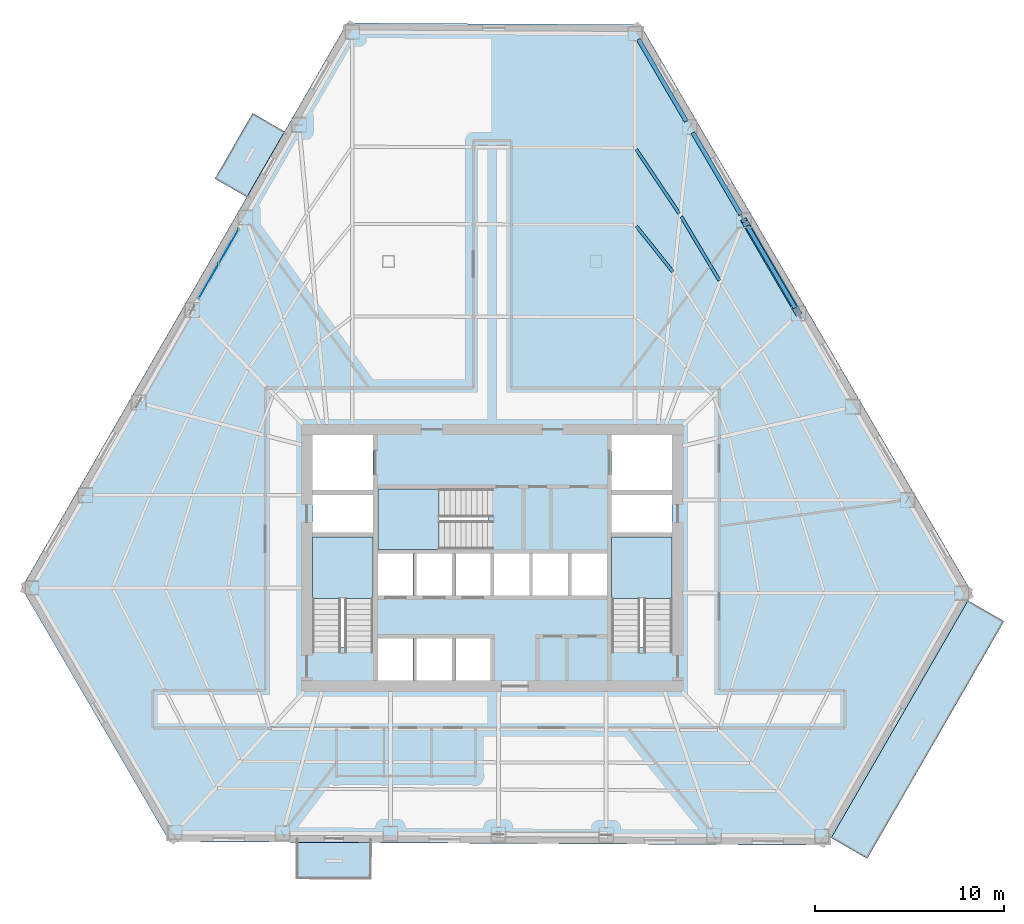
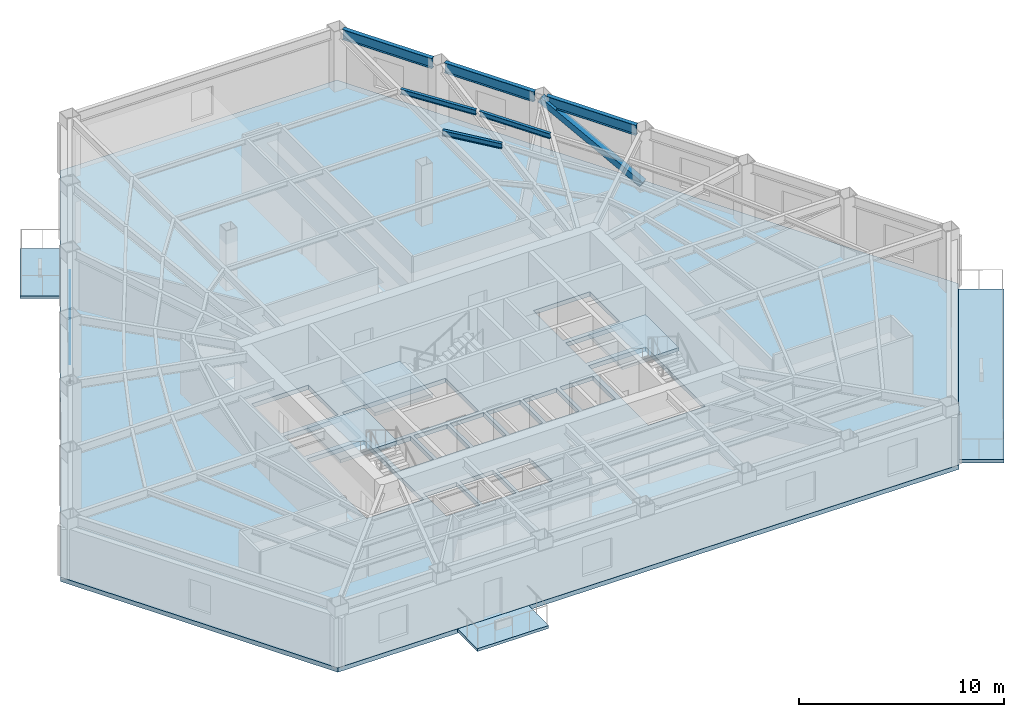
# One storey, part 5 of 16: 7 slabs, 6 beams, 2 plates, 1 member, 4 elements without a shape of their own.
"""IFC4 building model written with IfcOpenShell, lengths in metres."""

import ifcopenshell
import ifcopenshell.guid

model = None  # the IFC model being written
_history = None  # IfcOwnerHistory: only IFC2X3 demands one
_inside = {}  # id of a spatial element -> (the spatial element, [elements in it])
_under = {}  # id of a project, library or spatial element -> (it, [spatial elements below it])
_declared = {}  # id of a project -> (the project, [libraries it declares])
_typed = {}  # id of a type object -> (the type object, [elements of that type])
_made_of = {}  # id of a material, layer set ... -> (it, [elements and type objects made of it])


def new_model(schema):
    """Start an empty IFC model of exactly this schema.

    Asked for "IFC4X3", IfcOpenShell would pick the latest addendum, in which some entities
    have other attributes; the version numbers below select the first issue.
    IFC2X3 requires an IfcOwnerHistory on every rooted entity: one is made here for all.
    """
    global model, _history
    if schema == "IFC4X3":
        model = ifcopenshell.file(schema_version=(4, 3, 0, 0))
    else:
        model = ifcopenshell.file(schema=schema)
    _inside.clear()
    _under.clear()
    _declared.clear()
    _typed.clear()
    _made_of.clear()
    _history = None
    if model.schema == "IFC2X3":
        org = make("IfcOrganization", Name="unknown")
        user = make(
            "IfcPersonAndOrganization",
            ThePerson=make("IfcPerson", FamilyName="unknown"),
            TheOrganization=org,
        )
        app = make(
            "IfcApplication",
            ApplicationDeveloper=org,
            Version="unknown",
            ApplicationFullName="unknown",
            ApplicationIdentifier="unknown",
        )
        _history = make(
            "IfcOwnerHistory",
            OwningUser=user,
            OwningApplication=app,
            ChangeAction="ADDED",
            CreationDate=0,
        )
    return model


def make(cls, **values):
    """One entity of the class cls with the attributes given. An attribute that is None is left unset."""
    return model.create_entity(
        cls, **{name: value for name, value in values.items() if value is not None}
    )


def rooted(cls, **values):
    """An entity with a GlobalId (a new one), such as an element, a storey or a relation."""
    return make(cls, GlobalId=ifcopenshell.guid.new(), OwnerHistory=_history, **values)


def si_unit(unit_type, name, prefix=None):
    """IfcSIUnit, for example si_unit("LENGTHUNIT", "METRE", prefix="MILLI")."""
    return make("IfcSIUnit", UnitType=unit_type, Prefix=prefix, Name=name)


def assignment(units):
    """IfcUnitAssignment: the units of a project."""
    return None if units is None else make("IfcUnitAssignment", Units=units)


def point(xyz):
    """IfcCartesianPoint."""
    return None if xyz is None else make("IfcCartesianPoint", Coordinates=xyz)


def direction(xyz):
    """IfcDirection."""
    return None if xyz is None else make("IfcDirection", DirectionRatios=xyz)


def frame(location, z_axis=None, x_axis=None):
    """IfcAxis2Placement3D, a coordinate frame: its origin and axes. An axis left out is left unset."""
    return make(
        "IfcAxis2Placement3D",
        Location=point(location),
        Axis=direction(z_axis),
        RefDirection=direction(x_axis),
    )


def frame_2d(location, x_axis=None):
    """IfcAxis2Placement2D, a coordinate frame in the plane: its origin and x axis."""
    return make(
        "IfcAxis2Placement2D", Location=point(location), RefDirection=direction(x_axis)
    )


def origin():
    """The frame at (0, 0, 0) with its axes left unset."""
    return frame((0.0, 0.0, 0.0))


def origin_2d():
    """The frame at (0, 0) in the plane with its x axis left unset."""
    return frame_2d((0.0, 0.0))


def place(relative_to, where):
    """IfcLocalPlacement: puts the frame where relative to a parent placement (None: the world)."""
    return make(
        "IfcLocalPlacement", PlacementRelTo=relative_to, RelativePlacement=where
    )


def context(
    kind, dimensions, precision=None, world=None, true_north=None, identifier=None
):
    """IfcGeometricRepresentationContext, for example the 3D "Model" context."""
    return make(
        "IfcGeometricRepresentationContext",
        ContextIdentifier=identifier,
        ContextType=kind,
        CoordinateSpaceDimension=dimensions,
        Precision=precision,
        WorldCoordinateSystem=world,
        TrueNorth=true_north,
    )


def subcontext(parent, identifier, kind, view, scale=None):
    """IfcGeometricRepresentationSubContext, for example "Body" below "Model"."""
    return make(
        "IfcGeometricRepresentationSubContext",
        ContextIdentifier=identifier,
        ContextType=kind,
        ParentContext=parent,
        TargetScale=scale,
        TargetView=view,
    )


def project(units=None, contexts=None):
    """IfcProject with its units and contexts."""
    return rooted(
        "IfcProject",
        Name="project",
        RepresentationContexts=contexts,
        UnitsInContext=assignment(units),
    )


def spatial(cls, under=None, at=None, **own):
    """A site, building, storey or space (cls), placed at a placement, below another one or the project."""
    s = rooted(cls, ObjectPlacement=at, **own)
    if under is not None:
        _under.setdefault(under.id(), (under, []))[1].append(s)
    return s


def polyline(points):
    """IfcPolyline through the points."""
    return make("IfcPolyline", Points=[point(p) for p in points])


def profile(cls, at=None, kind="AREA", **sizes):
    """A parametric profile (cls). Its sizes go by their IFC names, for example OverallWidth=200.0."""
    return make(cls, ProfileType=kind, Position=at, **sizes)


def rectangle(**sizes):
    """IfcRectangleProfileDef."""
    return profile("IfcRectangleProfileDef", **sizes)


def hollow_rectangle(**sizes):
    """IfcRectangleHollowProfileDef."""
    return profile("IfcRectangleHollowProfileDef", **sizes)


def i_section(**sizes):
    """IfcIShapeProfileDef."""
    return profile("IfcIShapeProfileDef", **sizes)


def outline(outer, holes=None, kind="AREA"):
    """IfcArbitraryClosedProfileDef: a profile drawn as a closed curve; with holes, ...WithVoids."""
    if holes is None:
        return make("IfcArbitraryClosedProfileDef", ProfileType=kind, OuterCurve=outer)
    return make(
        "IfcArbitraryProfileDefWithVoids",
        ProfileType=kind,
        OuterCurve=outer,
        InnerCurves=holes,
    )


def extrude(swept, where, along, depth):
    """IfcExtrudedAreaSolid: the profile swept, set in the frame where, extruded along a direction by depth."""
    return make(
        "IfcExtrudedAreaSolid",
        SweptArea=swept,
        Position=where,
        ExtrudedDirection=direction(along),
        Depth=depth,
    )


def shape(context_of_items, identifier, shape_type, items):
    """IfcShapeRepresentation: the items that make up one representation, for example the "Body"."""
    return make(
        "IfcShapeRepresentation",
        ContextOfItems=context_of_items,
        RepresentationIdentifier=identifier,
        RepresentationType=shape_type,
        Items=items,
    )


def material(Name=None, Category=None):
    """IfcMaterial."""
    return make("IfcMaterial", Name=Name, Category=Category)


def layer(
    of_material, thickness, ventilated=None, Name=None, Category=None, Priority=None
):
    """IfcMaterialLayer: one layer of a wall or slab, of a material (None: an air gap)."""
    return make(
        "IfcMaterialLayer",
        Material=of_material,
        LayerThickness=thickness,
        IsVentilated=ventilated,
        Name=Name,
        Category=Category,
        Priority=Priority,
    )


def layer_set(layers, Name=None):
    """IfcMaterialLayerSet."""
    return make("IfcMaterialLayerSet", MaterialLayers=layers, LayerSetName=Name)


def material_profile(
    of_material, cross_section, Name=None, Category=None, Priority=None
):
    """IfcMaterialProfile: a cross section and its material."""
    return make(
        "IfcMaterialProfile",
        Name=Name,
        Material=of_material,
        Profile=cross_section,
        Priority=Priority,
        Category=Category,
    )


def profile_set(profiles, Name=None, composite=None):
    """IfcMaterialProfileSet."""
    return make(
        "IfcMaterialProfileSet",
        Name=Name,
        MaterialProfiles=profiles,
        CompositeProfile=composite,
    )


def made_of(thing, what):
    """Note that an element or type object is made of a material, layer set ...; save() writes the relation."""
    if what is not None:
        _made_of.setdefault(what.id(), (what, []))[1].append(thing)
    return thing


def type_object(cls, material=None, **own):
    """A type object (cls), such as IfcWallType, which elements share."""
    return made_of(rooted(cls, **own), material)


def element(
    cls,
    number,
    at=None,
    inside=None,
    cuts=None,
    type_object=None,
    material=None,
    context=None,
    identifier="Body",
    shape_type=None,
    held_by="IfcProductDefinitionShape",
    body=None,
    shapes=None,
    **own,
):
    """One element of the class cls, such as IfcWall. Its Tag is "e" and its number.

    at: its placement. inside: the storey or other place that contains it. cuts: it is an
    opening in that element (IfcRelVoidsElement). A single representation is given by context,
    identifier, shape_type and body (its items); several are given by shapes. held_by: the class
    of the entity that holds the representations. save() writes the other relations.
    """
    e = rooted(cls, Tag="e%d" % number, ObjectPlacement=at, **own)
    if body is not None:
        shapes = [shape(context, identifier, shape_type, body)]
    if shapes is not None:
        e.Representation = make(held_by, Representations=shapes)
    if inside is not None:
        _inside.setdefault(inside.id(), (inside, []))[1].append(e)
    if cuts is not None:
        rooted(
            "IfcRelVoidsElement", RelatingBuildingElement=cuts, RelatedOpeningElement=e
        )
    if type_object is not None:
        _typed.setdefault(type_object.id(), (type_object, []))[1].append(e)
    return made_of(e, material)


def aggregate(whole, parts):
    """IfcRelAggregates: a whole, such as a stair, and the parts it consists of."""
    return rooted("IfcRelAggregates", RelatingObject=whole, RelatedObjects=parts)


def save(model, path):
    """Write the relations noted so far, then the file.

    IfcRelAggregates (storeys below a building ...), IfcRelContainedInSpatialStructure (elements
    in a storey), IfcRelDefinesByType, IfcRelAssociatesMaterial and IfcRelDeclares: one each for
    every whole, place, type object, material and project.
    """
    for whole, parts in _under.values():
        aggregate(whole, parts)
    for where, things in _inside.values():
        rooted(
            "IfcRelContainedInSpatialStructure",
            RelatedElements=things,
            RelatingStructure=where,
        )
    for kind, things in _typed.values():
        rooted("IfcRelDefinesByType", RelatedObjects=things, RelatingType=kind)
    for what, things in _made_of.values():
        rooted("IfcRelAssociatesMaterial", RelatedObjects=things, RelatingMaterial=what)
    for by, libraries in _declared.values():
        rooted("IfcRelDeclares", RelatingContext=by, RelatedDefinitions=libraries)
    model.write(path)


model = new_model("IFC4")

# Units and contexts
model_context = context("Model", 3, precision=1e-05, world=origin(), true_north=direction((0.0, 1.0)))
body_context = subcontext(model_context, "Body", "Model", "MODEL_VIEW")
ifc_project = project(units=[si_unit("LENGTHUNIT", "METRE"), si_unit("AREAUNIT", "SQUARE_METRE"), si_unit("VOLUMEUNIT", "CUBIC_METRE"), si_unit("PLANEANGLEUNIT", "RADIAN"), si_unit("MASSUNIT", "GRAM", prefix="KILO")], contexts=[model_context])

# Site, building, storey
site_placement = place(None, origin())
site = spatial("IfcSite", under=ifc_project, at=site_placement, CompositionType="ELEMENT")
building_placement = place(site_placement, origin())
building = spatial("IfcBuilding", under=site, at=building_placement, Name="Kavelnor Concourse Tower", CompositionType="ELEMENT")
storey_placement = place(building_placement, frame((0.0, 0.0, 48.35009765625)))
storey = spatial("IfcBuildingStorey", under=building, at=storey_placement, Name="L12", CompositionType="ELEMENT", Elevation=48.35009765625)

# Beams
ifc_material_1 = material(Name="Steel Grade 350", Category="steel")
ifc_material_profile_1 = material_profile(ifc_material_1, i_section(OverallWidth=0.166015625, OverallDepth=0.306884765625, WebThickness=0.006591796875, FlangeThickness=0.01171875, at=origin_2d()), Name="310UB46")
ifc_profile_set_1 = profile_set([ifc_material_profile_1], Name="Steel Grade 350")
beam_type_1 = type_object("IfcBeamType", Name="BM-JOIST-310", PredefinedType="JOIST", material=ifc_profile_set_1)
beam_1_placement = place(storey_placement, frame((50.023193359375, 30.7900390625, 3.4365234375), z_axis=(-0.512162927607, 0.858888313802, 0.0), x_axis=(-0.858888313802, -0.512162927607, 0.0)))
element("IfcBeam", 1, at=beam_1_placement, inside=storey, type_object=beam_type_1, Name="L12 Secondary Composite Joist 13-3", PredefinedType="JOIST", context=body_context, shape_type="SweptSolid", body=[
    extrude(i_section(OverallWidth=0.166015625, OverallDepth=0.306884765625, WebThickness=0.006591796875, FlangeThickness=0.01171875, at=origin_2d()), origin(), (0.0, 0.0, 1.0), 3.943115234375),
])
beam_2_placement = place(storey_placement, frame((47.564208984375, 31.254638671875, 3.4365234375), z_axis=(-0.62586798633, 0.779929011954, 0.0), x_axis=(-0.779929011954, -0.62586798633, 0.0)))
element("IfcBeam", 2, at=beam_2_placement, inside=storey, type_object=beam_type_1, Name="L12 Secondary Composite Joist 14-2", PredefinedType="JOIST", context=body_context, shape_type="SweptSolid", body=[
    extrude(i_section(OverallWidth=0.166015625, OverallDepth=0.306884765625, WebThickness=0.006591796875, FlangeThickness=0.01171875, at=origin_2d()), origin(), (0.0, 0.0, 1.0), 3.094970703125),
])
beam_3_placement = place(storey_placement, frame((47.8984375, 34.34326171875, 3.4365234375), z_axis=(-0.55760658364, 0.830105353483, 0.0), x_axis=(-0.830105353483, -0.55760658364, 0.0)))
element("IfcBeam", 3, at=beam_3_placement, inside=storey, type_object=beam_type_1, Name="L12 Secondary Composite Joist 14-3", PredefinedType="JOIST", context=body_context, shape_type="SweptSolid", body=[
    extrude(i_section(OverallWidth=0.166015625, OverallDepth=0.306884765625, WebThickness=0.006591796875, FlangeThickness=0.01171875, at=origin_2d()), origin(), (0.0, 0.0, 1.0), 4.08544921875),
])
ifc_material_profile_2 = material_profile(ifc_material_1, i_section(OverallWidth=0.22900390625, OverallDepth=0.612060546875, WebThickness=0.011962890625, FlangeThickness=0.01953125, at=origin_2d()), Name="610UB125")
ifc_profile_set_2 = profile_set([ifc_material_profile_2], Name="Steel Grade 350")
beam_type_2 = type_object("IfcBeamType", Name="BM-SPANDREL-Z1", PredefinedType="SPANDREL", material=ifc_profile_set_2)
for number, where, z_axis, x_axis, name in (
    (4, (54.0380859375, 29.342041015625, 3.283935546875), (-0.504145778229, 0.86361856991, 0.0), (-0.86361856991, -0.504145778229, 0.0), "L12 Perimeter Tube Spandrel Beam F2-B3"),
    (5, (51.156005859375, 34.279296875, 3.283935546875), (-0.504145778229, 0.86361856991, 0.0), (-0.86361856991, -0.504145778229, 0.0), "L12 Perimeter Tube Spandrel Beam F2-B4"),
):
    element("IfcBeam", number, at=place(storey_placement, frame(where, z_axis=z_axis, x_axis=x_axis)), inside=storey, type_object=beam_type_2, Name=name, PredefinedType="SPANDREL", context=body_context, shape_type="SweptSolid", body=[
        extrude(i_section(OverallWidth=0.22900390625, OverallDepth=0.612060546875, WebThickness=0.011962890625, FlangeThickness=0.01953125, at=origin_2d()), origin(), (0.0, 0.0, 1.0), 5.027099609375),
    ])
beam_4_placement = place(storey_placement, frame((48.273681640625, 39.216796875, 3.283935546875), z_axis=(-0.504166923349, 0.863606225893, 0.0), x_axis=(-0.863606225893, -0.504166923349, 0.0)))
element("IfcBeam", 6, at=beam_4_placement, inside=storey, type_object=beam_type_2, Name="L12 Perimeter Tube Spandrel Beam F2-B5", PredefinedType="SPANDREL", context=body_context, shape_type="SweptSolid", body=[
    extrude(i_section(OverallWidth=0.22900390625, OverallDepth=0.612060546875, WebThickness=0.011962890625, FlangeThickness=0.01953125, at=origin_2d()), origin(), (0.0, 0.0, 1.0), 5.02685546875),
])

# Member
ifc_material_profile_3 = material_profile(ifc_material_1, hollow_rectangle(XDim=0.35009765625, YDim=0.35009765625, WallThickness=0.02001953125, at=origin_2d()), Name="SHS 350x350x20")
ifc_profile_set_3 = profile_set([ifc_material_profile_3], Name="Steel Grade 350")
member_type = type_object("IfcMemberType", Name="MBR-TUBE-DIAG-Z1", PredefinedType="BRACE", material=ifc_profile_set_3)
member_placement = place(storey_placement, frame((54.2119140625, 29.044189453125, 0.219970703125), z_axis=(-0.444340456245, 0.76119415897, 0.472382272416), x_axis=(-0.863625520775, -0.504133870976, 0.0)))
element("IfcMember", 7, at=member_placement, inside=storey, type_object=member_type, Name="L12 Framed-Tube Bracing Diagonal F2-B3", PredefinedType="BRACE", context=body_context, shape_type="SweptSolid", body=[
    extrude(hollow_rectangle(XDim=0.35009765625, YDim=0.35009765625, WallThickness=0.02001953125, at=origin_2d()), origin(), (0.0, 0.0, 1.0), 6.486083984375),
])

# Curtain wall, plates
ifc_material_2 = material(Name="Anodised aluminium 6063-T6", Category="aluminium")
ifc_layer_1 = layer(ifc_material_2, 0.139892578125, Name="Anodised aluminium 6063-T6")
ifc_layer_set_1 = layer_set([ifc_layer_1], Name="Anodised aluminium 6063-T6")
curtain_wall_type = type_object("IfcCurtainWallType", Name="CW-TERRACE-PAVILION", PredefinedType="NOTDEFINED", material=ifc_layer_set_1)
curtain_wall_placement = place(storey_placement, origin())
curtain_wall = element("IfcCurtainWall", 8, at=curtain_wall_placement, inside=storey, type_object=curtain_wall_type, Name="L12 Terrace Pavilion Curtain Wall", PredefinedType="NOTDEFINED")
ifc_material_3 = material(Name="Double low-E argon insulated glazing", Category="glass")
ifc_layer_2 = layer(ifc_material_3, 0.02392578125, Name="Double low-E argon insulated glazing")
ifc_layer_set_2 = layer_set([ifc_layer_2], Name="Double low-E argon insulated glazing")
plate_type = type_object("IfcPlateType", Name="CW-TERRACE-PAVILION-PANEL", PredefinedType="CURTAIN_PANEL", material=ifc_layer_set_2)
plate_1_placement = place(storey_placement, frame((24.051513671875, 32.6025390625, 0.06005859375), z_axis=(0.0, 0.0, 1.0), x_axis=(-0.499244059975, -0.866461406284, 0.0)))
plate_1 = element("IfcPlate", 9, at=plate_1_placement, type_object=plate_type, Name="L12 Terrace Pavilion Curtain Wall Vision Panel 1", PredefinedType="CURTAIN_PANEL", context=body_context, shape_type="SweptSolid", body=[
    extrude(rectangle(XDim=2.0810546875, YDim=0.02392578125, at=origin_2d()), origin(), (0.0, 0.0, 1.0), 2.6298828125),
])
plate_2_placement = place(storey_placement, frame((22.98779296875, 30.757080078125, 0.06005859375), z_axis=(0.0, 0.0, 1.0), x_axis=(-0.499244059975, -0.866461406284, 0.0)))
plate_2 = element("IfcPlate", 10, at=plate_2_placement, type_object=plate_type, Name="L12 Terrace Pavilion Curtain Wall Vision Panel 2", PredefinedType="CURTAIN_PANEL", context=body_context, shape_type="SweptSolid", body=[
    extrude(rectangle(XDim=2.0810546875, YDim=0.02392578125, at=origin_2d()), origin(), (0.0, 0.0, 1.0), 2.6298828125),
])
aggregate(curtain_wall, [plate_1, plate_2])

# Slabs
ifc_material_4 = material(Name="Concrete C40/50", Category="concrete")
ifc_layer_3 = layer(ifc_material_4, 0.169921875, Name="Concrete C40/50")
ifc_layer_set_3 = layer_set([ifc_layer_3], Name="Concrete C40/50")
slab_type_1 = type_object("IfcSlabType", Name="SLB-BALCONY-170", PredefinedType="FLOOR", material=ifc_layer_set_3)
slab_1_placement = place(storey_placement, frame((0.0, 0.0, -0.170166015625)))
element("IfcSlab", 11, at=slab_1_placement, inside=storey, type_object=slab_type_1, Name="L12 Cantilevered Tree Balcony Slab 1", PredefinedType="FLOOR", context=body_context, shape_type="SweptSolid", body=[
    extrude(outline(polyline([(23.3115234375, 36.185546875), (25.30859375, 39.651123046875), (26.998291015625, 38.677490234375), (25.0009765625, 35.2119140625), (23.3115234375, 36.185546875)])), origin(), (0.0, 0.0, 1.0), 0.170166015625),
])
slab_2_placement = place(storey_placement, frame((0.0, 0.0, -0.170166015625)))
element("IfcSlab", 12, at=slab_2_placement, inside=storey, type_object=slab_type_1, Name="L12 Cantilevered Tree Balcony Slab 2", PredefinedType="FLOOR", context=body_context, shape_type="SweptSolid", body=[
    extrude(outline(polyline([(31.60595703125, -0.9287109375), (27.60595703125, -0.90625), (27.616943359375, 1.043701171875), (31.616943359375, 1.021484375), (31.60595703125, -0.9287109375)])), origin(), (0.0, 0.0, 1.0), 0.170166015625),
])

# Stair, slab
stair_type = type_object("IfcStairType", Name="STR-CORE-1500", PredefinedType="HALF_TURN_STAIR", material=ifc_material_4)
stair_1_placement = place(storey_placement, origin())
stair_1 = element("IfcStair", 13, at=stair_1_placement, inside=storey, type_object=stair_type, Name="L12 ST1", PredefinedType="HALF_TURN_STAIR")
ifc_layer_4 = layer(ifc_material_4, 0.199951171875, Name="Concrete C40/50")
ifc_layer_set_4 = layer_set([ifc_layer_4], Name="Concrete C40/50")
slab_type_2 = type_object("IfcSlabType", Name="SLB-LANDING-200", PredefinedType="LANDING", material=ifc_layer_set_4)
slab_3_placement = place(storey_placement, frame((0.0, 0.0, 1.724853515625)))
slab_3 = element("IfcSlab", 14, at=slab_3_placement, type_object=slab_type_2, Name="ST1 landing 1", PredefinedType="LANDING", context=body_context, shape_type="SweptSolid", body=[
    extrude(outline(polyline([(31.679931640625, 13.949951171875), (31.679931640625, 17.199951171875), (28.47998046875, 17.199951171875), (28.47998046875, 13.949951171875), (31.679931640625, 13.949951171875)])), origin(), (0.0, 0.0, 1.0), 0.199951171875),
])
aggregate(stair_1, [slab_3])

stair_2_placement = place(storey_placement, origin())
stair_2 = element("IfcStair", 15, at=stair_2_placement, inside=storey, type_object=stair_type, Name="L12 ST2", PredefinedType="HALF_TURN_STAIR")
slab_4_placement = place(storey_placement, frame((0.0, 0.0, 1.724853515625)))
slab_4 = element("IfcSlab", 16, at=slab_4_placement, type_object=slab_type_2, Name="ST2 landing 1", PredefinedType="LANDING", context=body_context, shape_type="SweptSolid", body=[
    extrude(outline(polyline([(47.52001953125, 13.949951171875), (47.52001953125, 17.199951171875), (44.320068359375, 17.199951171875), (44.320068359375, 13.949951171875), (47.52001953125, 13.949951171875)])), origin(), (0.0, 0.0, 1.0), 0.199951171875),
])
aggregate(stair_2, [slab_4])

stair_3_placement = place(storey_placement, origin())
stair_3 = element("IfcStair", 17, at=stair_3_placement, inside=storey, type_object=stair_type, Name="L12 ST3", PredefinedType="HALF_TURN_STAIR")
slab_5_placement = place(storey_placement, frame((0.0, 0.0, 1.724853515625)))
slab_5 = element("IfcSlab", 18, at=slab_5_placement, type_object=slab_type_2, Name="ST3 landing 1", PredefinedType="LANDING", context=body_context, shape_type="SweptSolid", body=[
    extrude(outline(polyline([(35.18994140625, 19.760009765625), (31.93994140625, 19.760009765625), (31.93994140625, 16.56005859375), (35.18994140625, 16.56005859375), (35.18994140625, 19.760009765625)])), origin(), (0.0, 0.0, 1.0), 0.199951171875),
])
aggregate(stair_3, [slab_5])

# Slabs
ifc_layer_5 = layer(ifc_material_4, 0.260009765625, Name="Concrete C40/50")
ifc_layer_set_5 = layer_set([ifc_layer_5], Name="Concrete C40/50")
slab_type_3 = type_object("IfcSlabType", Name="SLB-OFFICE-260", PredefinedType="FLOOR", material=ifc_layer_set_5)
slab_6_placement = place(storey_placement, frame((0.0, 0.0, -0.260009765625)))
element("IfcSlab", 19, at=slab_6_placement, inside=storey, type_object=slab_type_3, Name="L12 Composite Structural Floor Slab", PredefinedType="FLOOR", context=body_context, shape_type="SweptSolid", body=[
    extrude(outline(polyline([(45.841796875, 44.334716796875), (30.308349609375, 44.42138671875), (13.073486328125, 14.5146484375), (20.915283203125, 1.0810546875), (55.7216796875, 0.88671875), (63.413330078125, 14.233642578125), (45.841796875, 44.334716796875)]), holes=[polyline([(28.47998046875, 11.3798828125), (31.679931640625, 11.3798828125), (31.679931640625, 17.199951171875), (28.47998046875, 17.199951171875), (28.47998046875, 11.3798828125)]), polyline([(44.320068359375, 11.3798828125), (47.52001953125, 11.3798828125), (47.52001953125, 17.199951171875), (44.320068359375, 17.199951171875), (44.320068359375, 11.3798828125)]), polyline([(31.93994140625, 16.56005859375), (37.760009765625, 16.56005859375), (37.760009765625, 19.760009765625), (31.93994140625, 19.760009765625), (31.93994140625, 16.56005859375)]), polyline([(28.47998046875, 19.699951171875), (31.679931640625, 19.699951171875), (31.679931640625, 22.60009765625), (28.47998046875, 22.60009765625), (28.47998046875, 19.699951171875)]), polyline([(44.320068359375, 19.699951171875), (47.52001953125, 19.699951171875), (47.52001953125, 22.60009765625), (44.320068359375, 22.60009765625), (44.320068359375, 19.699951171875)]), polyline([(31.93994140625, 14.10009765625), (33.81005859375, 14.10009765625), (33.81005859375, 16.340087890625), (31.93994140625, 16.340087890625), (31.93994140625, 14.10009765625)]), polyline([(33.989990234375, 14.10009765625), (35.860107421875, 14.10009765625), (35.860107421875, 16.340087890625), (33.989990234375, 16.340087890625), (33.989990234375, 14.10009765625)]), polyline([(36.0400390625, 14.10009765625), (37.909912109375, 14.10009765625), (37.909912109375, 16.340087890625), (36.0400390625, 16.340087890625), (36.0400390625, 14.10009765625)]), polyline([(38.090087890625, 14.10009765625), (39.9599609375, 14.10009765625), (39.9599609375, 16.340087890625), (38.090087890625, 16.340087890625), (38.090087890625, 14.10009765625)]), polyline([(40.139892578125, 14.10009765625), (42.010009765625, 14.10009765625), (42.010009765625, 16.340087890625), (40.139892578125, 16.340087890625), (40.139892578125, 14.10009765625)]), polyline([(42.18994140625, 14.10009765625), (44.06005859375, 14.10009765625), (44.06005859375, 16.340087890625), (42.18994140625, 16.340087890625), (42.18994140625, 14.10009765625)]), polyline([(31.93994140625, 9.60009765625), (33.81005859375, 9.60009765625), (33.81005859375, 11.840087890625), (31.93994140625, 11.840087890625), (31.93994140625, 9.60009765625)]), polyline([(33.989990234375, 9.60009765625), (35.860107421875, 9.60009765625), (35.860107421875, 11.840087890625), (33.989990234375, 11.840087890625), (33.989990234375, 9.60009765625)]), polyline([(36.0400390625, 9.60009765625), (37.909912109375, 9.60009765625), (37.909912109375, 11.840087890625), (36.0400390625, 11.840087890625), (36.0400390625, 9.60009765625)]), polyline([(28.47998046875, 17.4599609375), (31.679931640625, 17.4599609375), (31.679931640625, 19.43994140625), (28.47998046875, 19.43994140625), (28.47998046875, 17.4599609375)]), polyline([(44.320068359375, 17.4599609375), (47.52001953125, 17.4599609375), (47.52001953125, 19.43994140625), (44.320068359375, 19.43994140625), (44.320068359375, 17.4599609375)])]), origin(), (0.0, 0.0, 1.0), 0.260009765625),
])
ifc_layer_6 = layer(ifc_material_4, 0.18994140625, Name="Concrete C40/50")
ifc_layer_set_6 = layer_set([ifc_layer_6], Name="Concrete C40/50")
slab_type_4 = type_object("IfcSlabType", Name="SLB-TERRACE-190", PredefinedType="FLOOR", material=ifc_layer_set_6)
slab_7_placement = place(storey_placement, frame((0.0, 0.0, -0.190185546875)))
element("IfcSlab", 20, at=slab_7_placement, inside=storey, type_object=slab_type_4, Name="L12 Spiralling Sky Terrace Slab", PredefinedType="FLOOR", context=body_context, shape_type="SweptSolid", body=[
    extrude(outline(polyline([(65.0947265625, 12.7451171875), (57.8525390625, 0.17822265625), (55.9462890625, 1.276611328125), (63.188720703125, 13.84375), (65.0947265625, 12.7451171875)])), origin(), (0.0, 0.0, 1.0), 0.190185546875),
])

save(model, "model.ifc")
